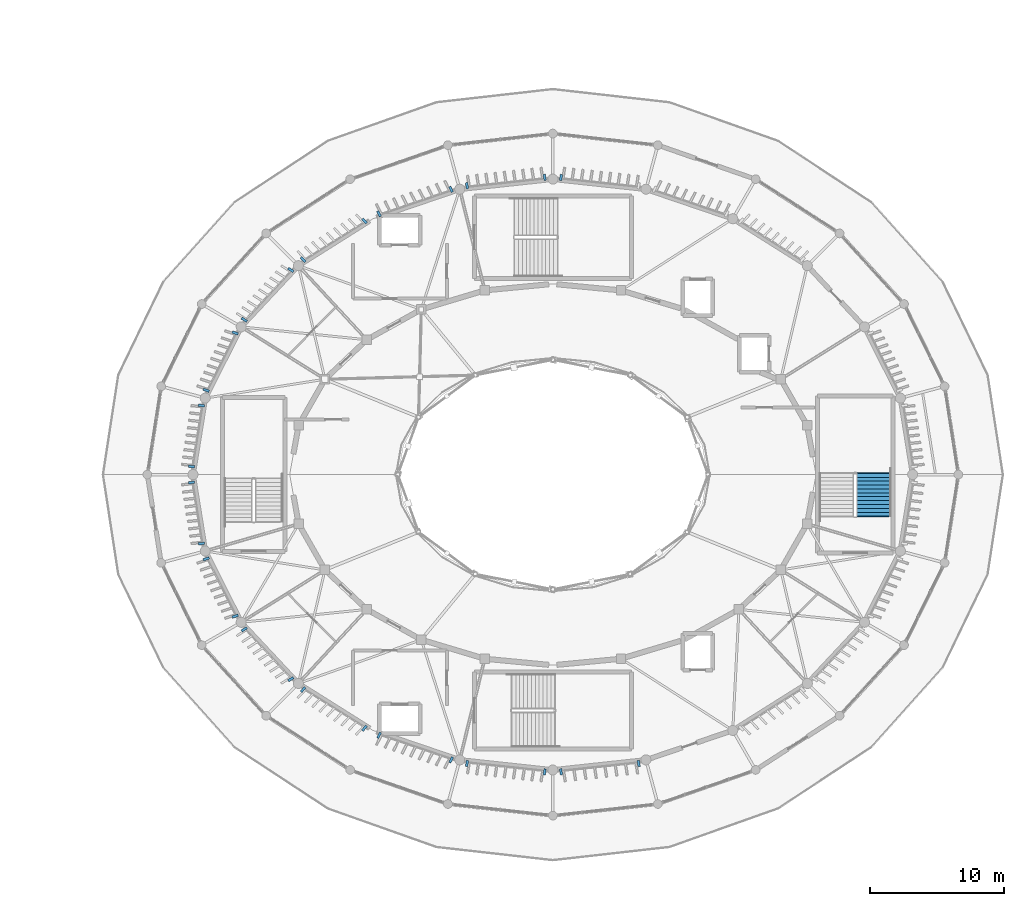
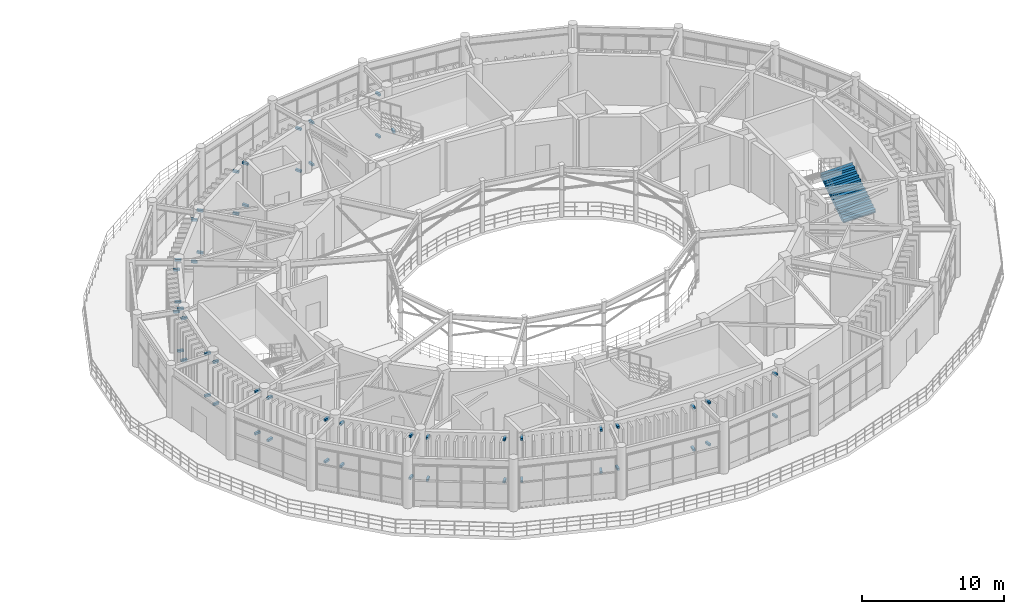
# One storey, part 36 of 45: 53 discrete accessories, 1 stair flight, 1 element without a shape of its own.
"""IFC4 building model written with IfcOpenShell, lengths in metres."""

import ifcopenshell
import ifcopenshell.guid

model = None  # the IFC model being written
_history = None  # IfcOwnerHistory: only IFC2X3 demands one
_inside = {}  # id of a spatial element -> (the spatial element, [elements in it])
_under = {}  # id of a project, library or spatial element -> (it, [spatial elements below it])
_declared = {}  # id of a project -> (the project, [libraries it declares])
_typed = {}  # id of a type object -> (the type object, [elements of that type])
_made_of = {}  # id of a material, layer set ... -> (it, [elements and type objects made of it])


def new_model(schema):
    """Start an empty IFC model of exactly this schema.

    Asked for "IFC4X3", IfcOpenShell would pick the latest addendum, in which some entities
    have other attributes; the version numbers below select the first issue.
    IFC2X3 requires an IfcOwnerHistory on every rooted entity: one is made here for all.
    """
    global model, _history
    if schema == "IFC4X3":
        model = ifcopenshell.file(schema_version=(4, 3, 0, 0))
    else:
        model = ifcopenshell.file(schema=schema)
    _inside.clear()
    _under.clear()
    _declared.clear()
    _typed.clear()
    _made_of.clear()
    _history = None
    if model.schema == "IFC2X3":
        org = make("IfcOrganization", Name="unknown")
        user = make(
            "IfcPersonAndOrganization",
            ThePerson=make("IfcPerson", FamilyName="unknown"),
            TheOrganization=org,
        )
        app = make(
            "IfcApplication",
            ApplicationDeveloper=org,
            Version="unknown",
            ApplicationFullName="unknown",
            ApplicationIdentifier="unknown",
        )
        _history = make(
            "IfcOwnerHistory",
            OwningUser=user,
            OwningApplication=app,
            ChangeAction="ADDED",
            CreationDate=0,
        )
    return model


def make(cls, **values):
    """One entity of the class cls with the attributes given. An attribute that is None is left unset."""
    return model.create_entity(
        cls, **{name: value for name, value in values.items() if value is not None}
    )


def rooted(cls, **values):
    """An entity with a GlobalId (a new one), such as an element, a storey or a relation."""
    return make(cls, GlobalId=ifcopenshell.guid.new(), OwnerHistory=_history, **values)


def si_unit(unit_type, name, prefix=None):
    """IfcSIUnit, for example si_unit("LENGTHUNIT", "METRE", prefix="MILLI")."""
    return make("IfcSIUnit", UnitType=unit_type, Prefix=prefix, Name=name)


def assignment(units):
    """IfcUnitAssignment: the units of a project."""
    return None if units is None else make("IfcUnitAssignment", Units=units)


def point(xyz):
    """IfcCartesianPoint."""
    return None if xyz is None else make("IfcCartesianPoint", Coordinates=xyz)


def direction(xyz):
    """IfcDirection."""
    return None if xyz is None else make("IfcDirection", DirectionRatios=xyz)


def frame(location, z_axis=None, x_axis=None):
    """IfcAxis2Placement3D, a coordinate frame: its origin and axes. An axis left out is left unset."""
    return make(
        "IfcAxis2Placement3D",
        Location=point(location),
        Axis=direction(z_axis),
        RefDirection=direction(x_axis),
    )


def frame_2d(location, x_axis=None):
    """IfcAxis2Placement2D, a coordinate frame in the plane: its origin and x axis."""
    return make(
        "IfcAxis2Placement2D", Location=point(location), RefDirection=direction(x_axis)
    )


def origin():
    """The frame at (0, 0, 0) with its axes left unset."""
    return frame((0.0, 0.0, 0.0))


def origin_2d():
    """The frame at (0, 0) in the plane with its x axis left unset."""
    return frame_2d((0.0, 0.0))


def place(relative_to, where):
    """IfcLocalPlacement: puts the frame where relative to a parent placement (None: the world)."""
    return make(
        "IfcLocalPlacement", PlacementRelTo=relative_to, RelativePlacement=where
    )


def context(
    kind, dimensions, precision=None, world=None, true_north=None, identifier=None
):
    """IfcGeometricRepresentationContext, for example the 3D "Model" context."""
    return make(
        "IfcGeometricRepresentationContext",
        ContextIdentifier=identifier,
        ContextType=kind,
        CoordinateSpaceDimension=dimensions,
        Precision=precision,
        WorldCoordinateSystem=world,
        TrueNorth=true_north,
    )


def subcontext(parent, identifier, kind, view, scale=None):
    """IfcGeometricRepresentationSubContext, for example "Body" below "Model"."""
    return make(
        "IfcGeometricRepresentationSubContext",
        ContextIdentifier=identifier,
        ContextType=kind,
        ParentContext=parent,
        TargetScale=scale,
        TargetView=view,
    )


def project(units=None, contexts=None):
    """IfcProject with its units and contexts."""
    return rooted(
        "IfcProject",
        Name="project",
        RepresentationContexts=contexts,
        UnitsInContext=assignment(units),
    )


def spatial(cls, under=None, at=None, **own):
    """A site, building, storey or space (cls), placed at a placement, below another one or the project."""
    s = rooted(cls, ObjectPlacement=at, **own)
    if under is not None:
        _under.setdefault(under.id(), (under, []))[1].append(s)
    return s


def polyline(points):
    """IfcPolyline through the points."""
    return make("IfcPolyline", Points=[point(p) for p in points])


def profile(cls, at=None, kind="AREA", **sizes):
    """A parametric profile (cls). Its sizes go by their IFC names, for example OverallWidth=200.0."""
    return make(cls, ProfileType=kind, Position=at, **sizes)


def rectangle(**sizes):
    """IfcRectangleProfileDef."""
    return profile("IfcRectangleProfileDef", **sizes)


def outline(outer, holes=None, kind="AREA"):
    """IfcArbitraryClosedProfileDef: a profile drawn as a closed curve; with holes, ...WithVoids."""
    if holes is None:
        return make("IfcArbitraryClosedProfileDef", ProfileType=kind, OuterCurve=outer)
    return make(
        "IfcArbitraryProfileDefWithVoids",
        ProfileType=kind,
        OuterCurve=outer,
        InnerCurves=holes,
    )


def extrude(swept, where, along, depth):
    """IfcExtrudedAreaSolid: the profile swept, set in the frame where, extruded along a direction by depth."""
    return make(
        "IfcExtrudedAreaSolid",
        SweptArea=swept,
        Position=where,
        ExtrudedDirection=direction(along),
        Depth=depth,
    )


def shape(context_of_items, identifier, shape_type, items):
    """IfcShapeRepresentation: the items that make up one representation, for example the "Body"."""
    return make(
        "IfcShapeRepresentation",
        ContextOfItems=context_of_items,
        RepresentationIdentifier=identifier,
        RepresentationType=shape_type,
        Items=items,
    )


def material(Name=None, Category=None):
    """IfcMaterial."""
    return make("IfcMaterial", Name=Name, Category=Category)


def made_of(thing, what):
    """Note that an element or type object is made of a material, layer set ...; save() writes the relation."""
    if what is not None:
        _made_of.setdefault(what.id(), (what, []))[1].append(thing)
    return thing


def type_object(cls, material=None, **own):
    """A type object (cls), such as IfcWallType, which elements share."""
    return made_of(rooted(cls, **own), material)


def element(
    cls,
    number,
    at=None,
    inside=None,
    cuts=None,
    type_object=None,
    material=None,
    context=None,
    identifier="Body",
    shape_type=None,
    held_by="IfcProductDefinitionShape",
    body=None,
    shapes=None,
    **own,
):
    """One element of the class cls, such as IfcWall. Its Tag is "e" and its number.

    at: its placement. inside: the storey or other place that contains it. cuts: it is an
    opening in that element (IfcRelVoidsElement). A single representation is given by context,
    identifier, shape_type and body (its items); several are given by shapes. held_by: the class
    of the entity that holds the representations. save() writes the other relations.
    """
    e = rooted(cls, Tag="e%d" % number, ObjectPlacement=at, **own)
    if body is not None:
        shapes = [shape(context, identifier, shape_type, body)]
    if shapes is not None:
        e.Representation = make(held_by, Representations=shapes)
    if inside is not None:
        _inside.setdefault(inside.id(), (inside, []))[1].append(e)
    if cuts is not None:
        rooted(
            "IfcRelVoidsElement", RelatingBuildingElement=cuts, RelatedOpeningElement=e
        )
    if type_object is not None:
        _typed.setdefault(type_object.id(), (type_object, []))[1].append(e)
    return made_of(e, material)


def aggregate(whole, parts):
    """IfcRelAggregates: a whole, such as a stair, and the parts it consists of."""
    return rooted("IfcRelAggregates", RelatingObject=whole, RelatedObjects=parts)


def save(model, path):
    """Write the relations noted so far, then the file.

    IfcRelAggregates (storeys below a building ...), IfcRelContainedInSpatialStructure (elements
    in a storey), IfcRelDefinesByType, IfcRelAssociatesMaterial and IfcRelDeclares: one each for
    every whole, place, type object, material and project.
    """
    for whole, parts in _under.values():
        aggregate(whole, parts)
    for where, things in _inside.values():
        rooted(
            "IfcRelContainedInSpatialStructure",
            RelatedElements=things,
            RelatingStructure=where,
        )
    for kind, things in _typed.values():
        rooted("IfcRelDefinesByType", RelatedObjects=things, RelatingType=kind)
    for what, things in _made_of.values():
        rooted("IfcRelAssociatesMaterial", RelatedObjects=things, RelatingMaterial=what)
    for by, libraries in _declared.values():
        rooted("IfcRelDeclares", RelatingContext=by, RelatedDefinitions=libraries)
    model.write(path)


model = new_model("IFC4")

# Units and contexts
model_context = context("Model", 3, precision=1e-05, world=origin(), true_north=direction((0.0, 1.0)))
body_context = subcontext(model_context, "Body", "Model", "MODEL_VIEW")
ifc_project = project(units=[si_unit("LENGTHUNIT", "METRE"), si_unit("AREAUNIT", "SQUARE_METRE"), si_unit("VOLUMEUNIT", "CUBIC_METRE"), si_unit("PLANEANGLEUNIT", "RADIAN"), si_unit("MASSUNIT", "GRAM", prefix="KILO")], contexts=[model_context])

# Site, building, storey
site_placement = place(None, origin())
site = spatial("IfcSite", under=ifc_project, at=site_placement, CompositionType="ELEMENT")
building_placement = place(site_placement, origin())
building = spatial("IfcBuilding", under=site, at=building_placement, Name="Cinderbank Siding Concert Hall", CompositionType="ELEMENT")
storey_placement = place(building_placement, frame((0.0, 0.0, 19.199951171875)))
storey = spatial("IfcBuildingStorey", under=building, at=storey_placement, Name="L05", CompositionType="ELEMENT", Elevation=19.199951171875)

# Stair, stair flight
ifc_material_1 = material(Name="Reinforced concrete AS 3600 N50 (50 MPa)", Category="concrete")
stair_type = type_object("IfcStairType", Name="STR-B Dogleg Exit Stair 2600mm", PredefinedType="HALF_TURN_STAIR", material=ifc_material_1)
stair_placement = place(storey_placement, origin())
stair = element("IfcStair", 1, at=stair_placement, inside=storey, type_object=stair_type, Name="L05 Fire-isolated Exit Stair ST-03", PredefinedType="HALF_TURN_STAIR")
stair_flight_type = type_object("IfcStairFlightType", Name="SFL-B Concrete Stair Flight 2600mm", PredefinedType="STRAIGHT", material=ifc_material_1)
stair_flight_placement = place(storey_placement, frame((145.89990234375, 40.89990234375, 0.0), z_axis=(0.0, 0.0, 1.0), x_axis=(0.0, 1.0, 0.0)))
stair_flight = element("IfcStairFlight", 2, at=stair_flight_placement, type_object=stair_flight_type, Name="ST-03 flight 1", NumberOfRisers=12, NumberOfTreads=11, PredefinedType="STRAIGHT", RiserHeight=0.1875, TreadLength=0.29, context=body_context, shape_type="SweptSolid", body=[
    extrude(outline(polyline([(0.0, 0.0), (0.0, 0.1875), (0.2900390625, 0.1875), (0.2900390625, 0.375), (0.580078125, 0.375), (0.580078125, 0.5625), (0.8701171875, 0.5625), (0.8701171875, 0.75), (1.159912109375, 0.75), (1.159912109375, 0.9375), (1.449951171875, 0.9375), (1.449951171875, 1.125), (1.739990234375, 1.125), (1.739990234375, 1.3125), (2.030029296875, 1.3125), (2.030029296875, 1.5), (2.320068359375, 1.5), (2.320068359375, 1.6875), (2.610107421875, 1.6875), (2.610107421875, 1.875), (2.89990234375, 1.875), (2.89990234375, 2.0625), (3.18994140625, 2.0625), (3.244873046875, 2.25), (3.244873046875, 1.884033203125), (3.24462890625, 1.88427734375), (3.24462890625, 1.884521484375), (3.24462890625, 1.884765625), (3.24462890625, 1.885009765625), (3.24462890625, 1.88525390625), (3.24462890625, 1.885498046875), (3.24462890625, 1.8857421875), (3.24462890625, 1.885986328125), (3.24462890625, 1.88623046875), (3.24462890625, 1.886474609375), (3.24462890625, 1.88671875), (3.24462890625, 1.886962890625), (3.244384765625, 1.886962890625), (3.244384765625, 1.88671875), (3.244384765625, 1.886474609375), (3.244384765625, 1.88623046875), (3.244384765625, 1.885986328125), (3.244384765625, 1.8857421875), (3.244384765625, 1.885498046875), (3.244384765625, 1.88525390625), (3.244384765625, 1.885009765625), (3.244384765625, 1.884765625), (3.244384765625, 1.884521484375), (3.244384765625, 1.88427734375), (3.244384765625, 1.884033203125), (3.244140625, 1.88427734375), (3.244140625, 1.884521484375), (3.244140625, 1.884765625), (3.244140625, 1.885009765625), (3.244140625, 1.88525390625), (3.244140625, 1.885498046875), (3.244140625, 1.8857421875), (3.244140625, 1.885986328125), (3.244140625, 1.88623046875), (3.244140625, 1.886474609375), (3.244140625, 1.88671875), (3.244140625, 1.886962890625), (3.243896484375, 1.886962890625), (3.243896484375, 1.88671875), (3.243896484375, 1.886474609375), (3.243896484375, 1.88623046875), (3.243896484375, 1.885986328125), (3.243896484375, 1.8857421875), (3.243896484375, 1.885498046875), (3.243896484375, 1.88525390625), (3.243896484375, 1.885009765625), (3.243896484375, 1.884765625), (3.243896484375, 1.884521484375), (3.243896484375, 1.88427734375), (3.243896484375, 1.884033203125), (3.24365234375, 1.88427734375), (3.24365234375, 1.884521484375), (3.24365234375, 1.884765625), (3.24365234375, 1.885009765625), (3.24365234375, 1.88525390625), (3.24365234375, 1.885498046875), (3.24365234375, 1.8857421875), (3.24365234375, 1.885986328125), (3.24365234375, 1.88623046875), (3.24365234375, 1.886474609375), (3.24365234375, 1.88671875), (3.24365234375, 1.886962890625), (3.243408203125, 1.886962890625), (3.243408203125, 1.88671875), (3.243408203125, 1.886474609375), (3.243408203125, 1.88623046875), (3.243408203125, 1.885986328125), (3.243408203125, 1.8857421875), (3.243408203125, 1.885498046875), (3.243408203125, 1.88525390625), (3.243408203125, 1.885009765625), (3.243408203125, 1.884765625), (3.243408203125, 1.884521484375), (3.243408203125, 1.88427734375), (3.243408203125, 1.884033203125), (3.2431640625, 1.88427734375), (3.2431640625, 1.884521484375), (3.2431640625, 1.884765625), (3.2431640625, 1.885009765625), (3.2431640625, 1.88525390625), (3.2431640625, 1.885498046875), (3.2431640625, 1.8857421875), (3.2431640625, 1.885986328125), (3.2431640625, 1.88623046875), (3.2431640625, 1.886474609375), (3.2431640625, 1.88671875), (3.2431640625, 1.886962890625), (3.242919921875, 1.886962890625), (3.242919921875, 1.88671875), (3.242919921875, 1.886474609375), (3.242919921875, 1.88623046875), (3.242919921875, 1.885986328125), (3.242919921875, 1.8857421875), (3.242919921875, 1.885498046875), (3.242919921875, 1.88525390625), (3.242919921875, 1.885009765625), (3.242919921875, 1.884765625), (3.242919921875, 1.884521484375), (3.242919921875, 1.88427734375), (3.242919921875, 1.884033203125), (3.24267578125, 1.88427734375), (3.24267578125, 1.884521484375), (3.24267578125, 1.884765625), (3.24267578125, 1.885009765625), (3.24267578125, 1.88525390625), (3.24267578125, 1.885498046875), (3.24267578125, 1.8857421875), (3.24267578125, 1.885986328125), (3.24267578125, 1.88623046875), (3.24267578125, 1.886474609375), (3.24267578125, 1.88671875), (3.24267578125, 1.886962890625), (3.242431640625, 1.886962890625), (3.242431640625, 1.88671875), (3.242431640625, 1.886474609375), (3.242431640625, 1.88623046875), (3.242431640625, 1.885986328125), (3.242431640625, 1.8857421875), (3.242431640625, 1.885498046875), (3.242431640625, 1.88525390625), (3.242431640625, 1.885009765625), (3.242431640625, 1.884765625), (3.242431640625, 1.884521484375), (3.242431640625, 1.88427734375), (3.242431640625, 1.884033203125), (3.2421875, 1.88427734375), (3.2421875, 1.884521484375), (3.2421875, 1.884765625), (3.2421875, 1.885009765625), (3.2421875, 1.88525390625), (3.2421875, 1.885498046875), (3.2421875, 1.8857421875), (3.2421875, 1.885986328125), (3.2421875, 1.88623046875), (3.2421875, 1.886474609375), (3.2421875, 1.88671875), (3.2421875, 1.886962890625), (3.241943359375, 1.886962890625), (3.241943359375, 1.88671875), (3.241943359375, 1.886474609375), (3.241943359375, 1.88623046875), (3.241943359375, 1.885986328125), (3.241943359375, 1.8857421875), (3.241943359375, 1.885498046875), (3.241943359375, 1.88525390625), (3.241943359375, 1.885009765625), (3.241943359375, 1.884765625), (3.241943359375, 1.884521484375), (3.241943359375, 1.88427734375), (3.241943359375, 1.884033203125), (3.24169921875, 1.88427734375), (3.24169921875, 1.884521484375), (3.24169921875, 1.884765625), (3.24169921875, 1.885009765625), (3.24169921875, 1.88525390625), (3.24169921875, 1.885498046875), (3.24169921875, 1.8857421875), (3.24169921875, 1.885986328125), (3.24169921875, 1.88623046875), (3.24169921875, 1.886474609375), (3.24169921875, 1.88671875), (3.24169921875, 1.886962890625), (3.241455078125, 1.886962890625), (3.241455078125, 1.88671875), (3.241455078125, 1.886474609375), (3.241455078125, 1.88623046875), (3.241455078125, 1.885986328125), (3.241455078125, 1.8857421875), (3.241455078125, 1.885498046875), (3.241455078125, 1.88525390625), (3.241455078125, 1.885009765625), (3.241455078125, 1.884765625), (3.241455078125, 1.884521484375), (3.241455078125, 1.88427734375), (3.241455078125, 1.884033203125), (3.2412109375, 1.88427734375), (3.2412109375, 1.884521484375), (3.2412109375, 1.884765625), (3.2412109375, 1.885009765625), (3.2412109375, 1.88525390625), (3.2412109375, 1.885498046875), (3.2412109375, 1.8857421875), (3.2412109375, 1.885986328125), (3.2412109375, 1.88623046875), (3.2412109375, 1.886474609375), (3.2412109375, 1.88671875), (3.2412109375, 1.886962890625), (3.240966796875, 1.886962890625), (3.240966796875, 1.88671875), (3.240966796875, 1.886474609375), (3.240966796875, 1.88623046875), (3.240966796875, 1.885986328125), (3.240966796875, 1.8857421875), (3.240966796875, 1.885498046875), (3.240966796875, 1.88525390625), (3.240966796875, 1.885009765625), (3.240966796875, 1.884765625), (3.240966796875, 1.884521484375), (3.240966796875, 1.88427734375), (3.240966796875, 1.884033203125), (3.24072265625, 1.88427734375), (3.24072265625, 1.884521484375), (3.24072265625, 1.884765625), (3.24072265625, 1.885009765625), (3.24072265625, 1.88525390625), (3.24072265625, 1.885498046875), (3.24072265625, 1.8857421875), (3.24072265625, 1.885986328125), (3.24072265625, 1.88623046875), (3.24072265625, 1.886474609375), (3.24072265625, 1.88671875), (3.24072265625, 1.886962890625), (3.240478515625, 1.886962890625), (3.240478515625, 1.88671875), (3.240478515625, 1.886474609375), (3.240478515625, 1.88623046875), (3.240478515625, 1.885986328125), (3.240478515625, 1.8857421875), (3.240478515625, 1.885498046875), (3.240478515625, 1.88525390625), (3.240478515625, 1.885009765625), (3.240478515625, 1.884765625), (3.240478515625, 1.884521484375), (3.240478515625, 1.88427734375), (3.240478515625, 1.884033203125), (3.240234375, 1.88427734375), (3.240234375, 1.884521484375), (3.240234375, 1.884765625), (3.240234375, 1.885009765625), (3.240234375, 1.88525390625), (3.240234375, 1.885498046875), (3.240234375, 1.8857421875), (3.240234375, 1.885986328125), (3.240234375, 1.88623046875), (3.240234375, 1.886474609375), (3.240234375, 1.88671875), (3.240234375, 1.886962890625), (3.239990234375, 1.886962890625), (3.239990234375, 1.88671875), (3.239990234375, 1.886474609375), (3.239990234375, 1.88623046875), (3.239990234375, 1.885986328125), (3.239990234375, 1.8857421875), (3.239990234375, 1.885498046875), (3.239990234375, 1.88525390625), (3.239990234375, 1.885009765625), (3.239990234375, 1.884765625), (3.239990234375, 1.884521484375), (3.239990234375, 1.88427734375), (3.239990234375, 1.884033203125), (3.23974609375, 1.88427734375), (3.23974609375, 1.884521484375), (3.23974609375, 1.884765625), (3.23974609375, 1.885009765625), (3.23974609375, 1.88525390625), (3.23974609375, 1.885498046875), (3.23974609375, 1.8857421875), (3.23974609375, 1.885986328125), (3.23974609375, 1.88623046875), (3.23974609375, 1.886474609375), (3.23974609375, 1.88671875), (3.23974609375, 1.886962890625), (3.239501953125, 1.886962890625), (3.239501953125, 1.88671875), (3.239501953125, 1.886474609375), (3.239501953125, 1.88623046875), (3.239501953125, 1.885986328125), (3.239501953125, 1.8857421875), (3.239501953125, 1.885498046875), (3.239501953125, 1.88525390625), (3.239501953125, 1.885009765625), (3.239501953125, 1.884765625), (3.239501953125, 1.884521484375), (3.239501953125, 1.88427734375), (3.239501953125, 1.884033203125), (3.2392578125, 1.88427734375), (3.2392578125, 1.884521484375), (3.2392578125, 1.884765625), (3.2392578125, 1.885009765625), (3.2392578125, 1.88525390625), (3.2392578125, 1.885498046875), (3.2392578125, 1.8857421875), (3.2392578125, 1.885986328125), (3.2392578125, 1.88623046875), (3.2392578125, 1.886474609375), (3.2392578125, 1.88671875), (3.2392578125, 1.886962890625), (3.239013671875, 1.886962890625), (3.239013671875, 1.88671875), (3.239013671875, 1.886474609375), (3.239013671875, 1.88623046875), (3.239013671875, 1.885986328125), (3.239013671875, 1.8857421875), (3.239013671875, 1.885498046875), (3.239013671875, 1.88525390625), (3.239013671875, 1.885009765625), (3.239013671875, 1.884765625), (3.239013671875, 1.884521484375), (3.239013671875, 1.88427734375), (3.239013671875, 1.884033203125), (3.23876953125, 1.88427734375), (3.23876953125, 1.884521484375), (3.23876953125, 1.884765625), (3.23876953125, 1.885009765625), (3.23876953125, 1.88525390625), (3.23876953125, 1.885498046875), (3.23876953125, 1.8857421875), (3.23876953125, 1.885986328125), (3.23876953125, 1.88623046875), (3.23876953125, 1.886474609375), (3.23876953125, 1.88671875), (3.23876953125, 1.886962890625), (3.238525390625, 1.886962890625), (3.238525390625, 1.88671875), (3.238525390625, 1.886474609375), (3.238525390625, 1.88623046875), (3.238525390625, 1.885986328125), (3.238525390625, 1.8857421875), (3.238525390625, 1.885498046875), (3.238525390625, 1.88525390625), (3.238525390625, 1.885009765625), (3.238525390625, 1.884765625), (3.238525390625, 1.884521484375), (3.238525390625, 1.88427734375), (3.238525390625, 1.884033203125), (0.276123046875, -0.06396484375), (-0.048583984375, -0.063720703125), (-0.048583984375, -0.0634765625), (-0.048583984375, -0.063232421875), (-0.048583984375, -0.06298828125), (-0.048583984375, -0.062744140625), (-0.048583984375, -0.0625), (-0.048583984375, -0.062255859375), (-0.048583984375, -0.06201171875), (-0.048583984375, -0.061767578125), (-0.048583984375, -0.0615234375), (-0.048583984375, -0.061279296875), (-0.048583984375, -0.06103515625), (-0.048828125, -0.06103515625), (-0.048828125, -0.061279296875), (-0.048828125, -0.0615234375), (-0.048828125, -0.061767578125), (-0.048828125, -0.06201171875), (-0.048828125, -0.062255859375), (-0.048828125, -0.0625), (-0.048828125, -0.062744140625), (-0.048828125, -0.06298828125), (-0.048828125, -0.063232421875), (-0.048828125, -0.0634765625), (-0.048828125, -0.063720703125), (-0.048828125, -0.06396484375), (-0.049072265625, -0.063720703125), (-0.049072265625, -0.0634765625), (-0.049072265625, -0.063232421875), (-0.049072265625, -0.06298828125), (-0.049072265625, -0.062744140625), (-0.049072265625, -0.0625), (-0.049072265625, -0.062255859375), (-0.049072265625, -0.06201171875), (-0.049072265625, -0.061767578125), (-0.049072265625, -0.0615234375), (-0.049072265625, -0.061279296875), (-0.049072265625, -0.06103515625), (-0.04931640625, -0.06103515625), (-0.04931640625, -0.061279296875), (-0.04931640625, -0.0615234375), (-0.04931640625, -0.061767578125), (-0.04931640625, -0.06201171875), (-0.04931640625, -0.062255859375), (-0.04931640625, -0.0625), (-0.04931640625, -0.062744140625), (-0.04931640625, -0.06298828125), (-0.04931640625, -0.063232421875), (-0.04931640625, -0.0634765625), (-0.04931640625, -0.063720703125), (-0.04931640625, -0.06396484375), (-0.049560546875, -0.063720703125), (-0.049560546875, -0.0634765625), (-0.049560546875, -0.063232421875), (-0.049560546875, -0.06298828125), (-0.049560546875, -0.062744140625), (-0.049560546875, -0.0625), (-0.049560546875, -0.062255859375), (-0.049560546875, -0.06201171875), (-0.049560546875, -0.061767578125), (-0.049560546875, -0.0615234375), (-0.049560546875, -0.061279296875), (-0.049560546875, -0.06103515625), (-0.0498046875, -0.06103515625), (-0.0498046875, -0.061279296875), (-0.0498046875, -0.0615234375), (-0.0498046875, -0.061767578125), (-0.0498046875, -0.06201171875), (-0.0498046875, -0.062255859375), (-0.0498046875, -0.0625), (-0.0498046875, -0.062744140625), (-0.0498046875, -0.06298828125), (-0.0498046875, -0.063232421875), (-0.0498046875, -0.0634765625), (-0.0498046875, -0.063720703125), (-0.0498046875, -0.06396484375), (-0.050048828125, -0.063720703125), (-0.050048828125, -0.0634765625), (-0.050048828125, -0.063232421875), (-0.050048828125, -0.06298828125), (-0.050048828125, -0.062744140625), (-0.050048828125, -0.0625), (-0.050048828125, -0.062255859375), (-0.050048828125, -0.06201171875), (-0.050048828125, -0.061767578125), (-0.050048828125, -0.0615234375), (-0.050048828125, -0.061279296875), (-0.050048828125, -0.06103515625), (-0.05029296875, -0.06103515625), (-0.05029296875, -0.061279296875), (-0.05029296875, -0.0615234375), (-0.05029296875, -0.061767578125), (-0.05029296875, -0.06201171875), (-0.05029296875, -0.062255859375), (-0.05029296875, -0.0625), (-0.05029296875, -0.062744140625), (-0.05029296875, -0.06298828125), (-0.05029296875, -0.063232421875), (-0.05029296875, -0.0634765625), (-0.05029296875, -0.063720703125), (-0.05029296875, -0.06396484375), (-0.050537109375, -0.063720703125), (-0.050537109375, -0.0634765625), (-0.050537109375, -0.063232421875), (-0.050537109375, -0.06298828125), (-0.050537109375, -0.062744140625), (-0.050537109375, -0.0625), (-0.050537109375, -0.062255859375), (-0.050537109375, -0.06201171875), (-0.050537109375, -0.061767578125), (-0.050537109375, -0.0615234375), (-0.050537109375, -0.061279296875), (-0.050537109375, -0.06103515625), (-0.05078125, -0.06103515625), (-0.05078125, -0.061279296875), (-0.05078125, -0.0615234375), (-0.05078125, -0.061767578125), (-0.05078125, -0.06201171875), (-0.05078125, -0.062255859375), (-0.05078125, -0.0625), (-0.05078125, -0.062744140625), (-0.05078125, -0.06298828125), (-0.05078125, -0.063232421875), (-0.05078125, -0.0634765625), (-0.05078125, -0.063720703125), (-0.05078125, -0.06396484375), (-0.051025390625, -0.063720703125), (-0.051025390625, -0.0634765625), (-0.051025390625, -0.063232421875), (-0.051025390625, -0.06298828125), (-0.051025390625, -0.062744140625), (-0.051025390625, -0.0625), (-0.051025390625, -0.062255859375), (-0.051025390625, -0.06201171875), (-0.051025390625, -0.061767578125), (-0.051025390625, -0.0615234375), (-0.051025390625, -0.061279296875), (-0.051025390625, -0.06103515625), (-0.05126953125, -0.06103515625), (-0.05126953125, -0.061279296875), (-0.05126953125, -0.0615234375), (-0.05126953125, -0.061767578125), (-0.05126953125, -0.06201171875), (-0.05126953125, -0.062255859375), (-0.05126953125, -0.0625), (-0.05126953125, -0.062744140625), (-0.05126953125, -0.06298828125), (-0.05126953125, -0.063232421875), (-0.05126953125, -0.0634765625), (-0.05126953125, -0.063720703125), (-0.05126953125, -0.06396484375), (-0.051513671875, -0.063720703125), (-0.051513671875, -0.0634765625), (-0.051513671875, -0.063232421875), (-0.051513671875, -0.06298828125), (-0.051513671875, -0.062744140625), (-0.051513671875, -0.0625), (-0.051513671875, -0.062255859375), (-0.051513671875, -0.06201171875), (-0.051513671875, -0.061767578125), (-0.051513671875, -0.0615234375), (-0.051513671875, -0.061279296875), (-0.051513671875, -0.06103515625), (-0.0517578125, -0.06103515625), (-0.0517578125, -0.061279296875), (-0.0517578125, -0.0615234375), (-0.0517578125, -0.061767578125), (-0.0517578125, -0.06201171875), (-0.0517578125, -0.062255859375), (-0.0517578125, -0.0625), (-0.0517578125, -0.062744140625), (-0.0517578125, -0.06298828125), (-0.0517578125, -0.063232421875), (-0.0517578125, -0.0634765625), (-0.0517578125, -0.063720703125), (-0.0517578125, -0.06396484375), (-0.052001953125, -0.063720703125), (-0.052001953125, -0.0634765625), (-0.052001953125, -0.063232421875), (-0.052001953125, -0.06298828125), (-0.052001953125, -0.062744140625), (-0.052001953125, -0.0625), (-0.052001953125, -0.062255859375), (-0.052001953125, -0.06201171875), (-0.052001953125, -0.061767578125), (-0.052001953125, -0.0615234375), (-0.052001953125, -0.061279296875), (-0.052001953125, -0.06103515625), (-0.05224609375, -0.06103515625), (-0.05224609375, -0.061279296875), (-0.05224609375, -0.0615234375), (-0.05224609375, -0.061767578125), (-0.05224609375, -0.06201171875), (-0.05224609375, -0.062255859375), (-0.05224609375, -0.0625), (-0.05224609375, -0.062744140625), (-0.05224609375, -0.06298828125), (-0.05224609375, -0.063232421875), (-0.05224609375, -0.0634765625), (-0.05224609375, -0.063720703125), (-0.05224609375, -0.06396484375), (-0.052490234375, -0.063720703125), (-0.052490234375, -0.0634765625), (-0.052490234375, -0.063232421875), (-0.052490234375, -0.06298828125), (-0.052490234375, -0.062744140625), (-0.052490234375, -0.0625), (-0.052490234375, -0.062255859375), (-0.052490234375, -0.06201171875), (-0.052490234375, -0.061767578125), (-0.052490234375, -0.0615234375), (-0.052490234375, -0.061279296875), (-0.052490234375, -0.06103515625), (-0.052734375, -0.06103515625), (-0.052734375, -0.061279296875), (-0.052734375, -0.0615234375), (-0.052734375, -0.061767578125), (-0.052734375, -0.06201171875), (-0.052734375, -0.062255859375), (-0.052734375, -0.0625), (-0.052734375, -0.062744140625), (-0.052734375, -0.06298828125), (-0.052734375, -0.063232421875), (-0.052734375, -0.0634765625), (-0.052734375, -0.063720703125), (-0.052734375, -0.06396484375), (-0.052978515625, -0.063720703125), (-0.052978515625, -0.0634765625), (-0.052978515625, -0.063232421875), (-0.052978515625, -0.06298828125), (-0.052978515625, -0.062744140625), (-0.052978515625, -0.0625), (-0.052978515625, -0.062255859375), (-0.052978515625, -0.06201171875), (-0.052978515625, -0.061767578125), (-0.052978515625, -0.0615234375), (-0.052978515625, -0.061279296875), (-0.052978515625, -0.06103515625), (-0.05322265625, -0.06103515625), (-0.05322265625, -0.061279296875), (-0.05322265625, -0.0615234375), (-0.05322265625, -0.061767578125), (-0.05322265625, -0.06201171875), (-0.05322265625, -0.062255859375), (-0.05322265625, -0.0625), (-0.05322265625, -0.062744140625), (-0.05322265625, -0.06298828125), (-0.05322265625, -0.063232421875), (-0.05322265625, -0.0634765625), (-0.05322265625, -0.063720703125), (-0.05322265625, -0.06396484375), (-0.053466796875, -0.063720703125), (-0.053466796875, -0.0634765625), (-0.053466796875, -0.063232421875), (-0.053466796875, -0.06298828125), (-0.053466796875, -0.062744140625), (-0.053466796875, -0.0625), (-0.053466796875, -0.062255859375), (-0.053466796875, -0.06201171875), (-0.053466796875, -0.061767578125), (-0.053466796875, -0.0615234375), (-0.053466796875, -0.061279296875), (-0.053466796875, -0.06103515625), (-0.0537109375, -0.06103515625), (-0.0537109375, -0.061279296875), (-0.0537109375, -0.0615234375), (-0.0537109375, -0.061767578125), (-0.0537109375, -0.06201171875), (-0.0537109375, -0.062255859375), (-0.0537109375, -0.0625), (-0.0537109375, -0.062744140625), (-0.0537109375, -0.06298828125), (-0.0537109375, -0.063232421875), (-0.0537109375, -0.0634765625), (-0.0537109375, -0.063720703125), (-0.0537109375, -0.06396484375), (-0.053955078125, -0.063720703125), (-0.053955078125, -0.0634765625), (-0.053955078125, -0.063232421875), (-0.053955078125, -0.06298828125), (-0.053955078125, -0.062744140625), (-0.053955078125, -0.0625), (-0.053955078125, -0.062255859375), (-0.053955078125, -0.06201171875), (-0.053955078125, -0.061767578125), (-0.053955078125, -0.0615234375), (-0.053955078125, -0.061279296875), (-0.053955078125, -0.06103515625), (-0.05419921875, -0.06103515625), (-0.05419921875, -0.061279296875), (-0.05419921875, -0.0615234375), (-0.05419921875, -0.061767578125), (-0.05419921875, -0.06201171875), (-0.05419921875, -0.062255859375), (-0.05419921875, -0.0625), (-0.05419921875, -0.062744140625), (-0.05419921875, -0.06298828125), (-0.05419921875, -0.063232421875), (-0.05419921875, -0.0634765625), (-0.05419921875, -0.063720703125), (-0.05419921875, -0.06396484375), (-0.054443359375, -0.063720703125), (-0.054443359375, -0.0634765625), (-0.054443359375, -0.063232421875), (-0.054443359375, -0.06298828125), (-0.054443359375, -0.062744140625), (-0.054443359375, -0.0625), (-0.054443359375, -0.062255859375), (-0.054443359375, -0.06201171875), (-0.054443359375, -0.061767578125), (-0.054443359375, -0.0615234375), (-0.054443359375, -0.061279296875), (-0.054443359375, -0.06103515625), (-0.0546875, -0.06103515625), (-0.0546875, -0.061279296875), (-0.0546875, -0.0615234375), (-0.0546875, -0.061767578125), (-0.0546875, -0.06201171875), (-0.0546875, -0.062255859375), (-0.0546875, -0.0625), (-0.0546875, -0.062744140625), (-0.0546875, -0.06298828125), (-0.0546875, -0.063232421875), (-0.0546875, -0.0634765625), (-0.0546875, -0.063720703125), (-0.0546875, -0.06396484375), (-0.054931640625, -0.06396484375), (-0.054931640625, 0.0), (0.0, 0.0)])), frame((0.0, 1.300048828125, 0.0), z_axis=(0.0, -1.0, 0.0), x_axis=(1.0, 0.0, 0.0)), (0.0, 0.0, 1.0), 2.60009765625),
])
aggregate(stair, [stair_flight])

# Discrete accessories
ifc_material_2 = material(Name="Structural steel AS/NZS 3679.1 Grade 350 (340 MPa)", Category="steel")
discrete_accessory_type = type_object("IfcDiscreteAccessoryType", Name="BK-01 Outrigger Steel Bracket 180x920", PredefinedType="BRACKET", material=ifc_material_2)
for number, where, z_axis, x_axis, name in (
    (3, (122.6083984375, 66.13525390625, 0.1298828125), (0.0, 0.0, 1.0), (0.158354123126, 0.987382383724, 0.0), "L05 Louvre Outrigger Bracket 06-BOT-B"),
    (4, (121.3916015625, 66.13525390625, 0.1298828125), (0.0, 0.0, 1.0), (-0.158354123126, 0.987382383724, 0.0), "L05 Louvre Outrigger Bracket 07-BOT-A"),
    (5, (115.608642578125, 65.51025390625, 0.1298828125), (0.0, 0.0, 1.0), (-0.158354123126, 0.987382383724, 0.0), "L05 Louvre Outrigger Bracket 07-BOT-B"),
    (6, (121.3916015625, 66.13525390625, 3.72998046875), (0.0, 0.0, 1.0), (-0.158354123126, 0.987382383724, 0.0), "L05 Louvre Outrigger Bracket 07-TOP-A"),
    (7, (115.608642578125, 65.51025390625, 3.72998046875), (0.0, 0.0, 1.0), (-0.158354123126, 0.987382383724, 0.0), "L05 Louvre Outrigger Bracket 07-TOP-B"),
    (8, (114.42431640625, 65.2421875, 0.1298828125), (0.0, 0.0, 1.0), (-0.450487284518, 0.89278284397, 0.0), "L05 Louvre Outrigger Bracket 08-BOT-A"),
    (9, (109.05908203125, 63.41796875, 0.1298828125), (0.0, 0.0, 1.0), (-0.450487284518, 0.89278284397, 0.0), "L05 Louvre Outrigger Bracket 08-BOT-B"),
    (10, (114.42431640625, 65.2421875, 3.72998046875), (0.0, 0.0, 1.0), (-0.450487284518, 0.89278284397, 0.0), "L05 Louvre Outrigger Bracket 08-TOP-A"),
    (11, (109.05908203125, 63.41796875, 3.72998046875), (0.0, 0.0, 1.0), (-0.450487284518, 0.89278284397, 0.0), "L05 Louvre Outrigger Bracket 08-TOP-B"),
    (12, (107.97265625, 62.8896484375, 0.1298828125), (0.0, 0.0, 1.0), (-0.682869257989, 0.730540605643, 0.0), "L05 Louvre Outrigger Bracket 09-BOT-A"),
    (13, (103.40380859375, 60.011474609375, 0.1298828125), (0.0, 0.0, 1.0), (-0.682869257989, 0.730540605643, 0.0), "L05 Louvre Outrigger Bracket 09-BOT-B"),
    (14, (107.97265625, 62.8896484375, 3.72998046875), (0.0, 0.0, 1.0), (-0.682869257989, 0.730540605643, 0.0), "L05 Louvre Outrigger Bracket 09-TOP-A"),
    (15, (103.40380859375, 60.011474609375, 3.72998046875), (0.0, 0.0, 1.0), (-0.682869257989, 0.730540605643, 0.0), "L05 Louvre Outrigger Bracket 09-TOP-B"),
    (16, (102.484130859375, 59.2392578125, 0.1298828125), (0.0, 0.0, 1.0), (-0.846132246596, 0.532973002384, 0.0), "L05 Louvre Outrigger Bracket 10-BOT-A"),
    (17, (99.017333984375, 55.5302734375, 0.1298828125), (0.0, 0.0, 1.0), (-0.846132246596, 0.532973002384, 0.0), "L05 Louvre Outrigger Bracket 10-BOT-B"),
    (18, (102.484130859375, 59.2392578125, 3.72998046875), (0.0, 0.0, 1.0), (-0.846132246596, 0.532973002384, 0.0), "L05 Louvre Outrigger Bracket 10-TOP-A"),
    (19, (99.017333984375, 55.5302734375, 3.72998046875), (0.0, 0.0, 1.0), (-0.846132246596, 0.532973002384, 0.0), "L05 Louvre Outrigger Bracket 10-TOP-B"),
    (20, (98.33984375, 54.546630859375, 0.1298828125), (0.0, 0.0, 1.0), (-0.946765351164, 0.321924478466, 0.0), "L05 Louvre Outrigger Bracket 11-BOT-A"),
    (21, (96.18505859375, 50.276123046875, 0.1298828125), (0.0, 0.0, 1.0), (-0.946765351164, 0.321924478466, 0.0), "L05 Louvre Outrigger Bracket 11-BOT-B"),
    (22, (98.33984375, 54.546630859375, 3.72998046875), (0.0, 0.0, 1.0), (-0.946765351164, 0.321924478466, 0.0), "L05 Louvre Outrigger Bracket 11-TOP-A"),
    (23, (96.18505859375, 50.276123046875, 3.72998046875), (0.0, 0.0, 1.0), (-0.946765351164, 0.321924478466, 0.0), "L05 Louvre Outrigger Bracket 11-TOP-B"),
    (24, (95.822509765625, 49.142822265625, 0.1298828125), (0.0, 0.0, 1.0), (-0.994210818271, 0.107446958234, 0.0), "L05 Louvre Outrigger Bracket 12-BOT-A"),
    (25, (95.093017578125, 44.59423828125, 0.1298828125), (0.0, 0.0, 1.0), (-0.994210818271, 0.107446958234, 0.0), "L05 Louvre Outrigger Bracket 12-BOT-B"),
    (26, (95.822509765625, 49.142822265625, 3.72998046875), (0.0, 0.0, 1.0), (-0.994210818271, 0.107446958234, 0.0), "L05 Louvre Outrigger Bracket 12-TOP-A"),
    (27, (95.093017578125, 44.59423828125, 3.72998046875), (0.0, 0.0, 1.0), (-0.994210818271, 0.107446958234, 0.0), "L05 Louvre Outrigger Bracket 12-TOP-B"),
    (28, (95.093017578125, 43.40576171875, 0.1298828125), (0.0, 0.0, 1.0), (-0.994210818271, -0.107446958234, 0.0), "L05 Louvre Outrigger Bracket 13-BOT-A"),
    (29, (95.822509765625, 38.857177734375, 0.1298828125), (0.0, 0.0, 1.0), (-0.994210818271, -0.107446958234, 0.0), "L05 Louvre Outrigger Bracket 13-BOT-B"),
    (30, (95.093017578125, 43.40576171875, 3.72998046875), (0.0, 0.0, 1.0), (-0.994210818271, -0.107446958234, 0.0), "L05 Louvre Outrigger Bracket 13-TOP-A"),
    (31, (95.822509765625, 38.857177734375, 3.72998046875), (0.0, 0.0, 1.0), (-0.994210818271, -0.107446958234, 0.0), "L05 Louvre Outrigger Bracket 13-TOP-B"),
    (32, (96.18505859375, 37.723876953125, 0.1298828125), (0.0, 0.0, 1.0), (-0.946765351164, -0.321924478466, 0.0), "L05 Louvre Outrigger Bracket 14-BOT-A"),
    (33, (98.33984375, 33.453369140625, 0.1298828125), (0.0, 0.0, 1.0), (-0.946765351164, -0.321924478466, 0.0), "L05 Louvre Outrigger Bracket 14-BOT-B"),
    (34, (96.18505859375, 37.723876953125, 3.72998046875), (0.0, 0.0, 1.0), (-0.946765351164, -0.321924478466, 0.0), "L05 Louvre Outrigger Bracket 14-TOP-A"),
    (35, (98.33984375, 33.453369140625, 3.72998046875), (0.0, 0.0, 1.0), (-0.946765351164, -0.321924478466, 0.0), "L05 Louvre Outrigger Bracket 14-TOP-B"),
    (36, (99.017333984375, 32.4697265625, 0.1298828125), (0.0, 0.0, 1.0), (-0.846132246596, -0.532973002384, 0.0), "L05 Louvre Outrigger Bracket 15-BOT-A"),
    (37, (102.484130859375, 28.7607421875, 0.1298828125), (0.0, 0.0, 1.0), (-0.846132246596, -0.532973002384, 0.0), "L05 Louvre Outrigger Bracket 15-BOT-B"),
    (38, (99.017333984375, 32.4697265625, 3.72998046875), (0.0, 0.0, 1.0), (-0.846132246596, -0.532973002384, 0.0), "L05 Louvre Outrigger Bracket 15-TOP-A"),
    (39, (102.484130859375, 28.7607421875, 3.72998046875), (0.0, 0.0, 1.0), (-0.846132246596, -0.532973002384, 0.0), "L05 Louvre Outrigger Bracket 15-TOP-B"),
    (40, (103.40380859375, 27.988525390625, 0.1298828125), (0.0, 0.0, 1.0), (-0.682869257989, -0.730540605643, 0.0), "L05 Louvre Outrigger Bracket 16-BOT-A"),
    (41, (107.97265625, 25.1103515625, 0.1298828125), (0.0, 0.0, 1.0), (-0.682869257989, -0.730540605643, 0.0), "L05 Louvre Outrigger Bracket 16-BOT-B"),
    (42, (103.40380859375, 27.988525390625, 3.72998046875), (0.0, 0.0, 1.0), (-0.682869257989, -0.730540605643, 0.0), "L05 Louvre Outrigger Bracket 16-TOP-A"),
    (43, (107.97265625, 25.1103515625, 3.72998046875), (0.0, 0.0, 1.0), (-0.682869257989, -0.730540605643, 0.0), "L05 Louvre Outrigger Bracket 16-TOP-B"),
    (44, (109.05908203125, 24.58203125, 0.1298828125), (0.0, 0.0, 1.0), (-0.450487284518, -0.89278284397, 0.0), "L05 Louvre Outrigger Bracket 17-BOT-A"),
    (45, (114.42431640625, 22.7578125, 0.1298828125), (0.0, 0.0, 1.0), (-0.450487284518, -0.89278284397, 0.0), "L05 Louvre Outrigger Bracket 17-BOT-B"),
    (46, (109.05908203125, 24.58203125, 3.72998046875), (0.0, 0.0, 1.0), (-0.450487284518, -0.89278284397, 0.0), "L05 Louvre Outrigger Bracket 17-TOP-A"),
    (47, (114.42431640625, 22.7578125, 3.72998046875), (0.0, 0.0, 1.0), (-0.450487284518, -0.89278284397, 0.0), "L05 Louvre Outrigger Bracket 17-TOP-B"),
    (48, (115.608642578125, 22.48974609375, 0.1298828125), (0.0, 0.0, 1.0), (-0.158354123126, -0.987382383724, 0.0), "L05 Louvre Outrigger Bracket 18-BOT-A"),
    (49, (121.3916015625, 21.86474609375, 0.1298828125), (0.0, 0.0, 1.0), (-0.158354123126, -0.987382383724, 0.0), "L05 Louvre Outrigger Bracket 18-BOT-B"),
    (50, (115.608642578125, 22.48974609375, 3.72998046875), (0.0, 0.0, 1.0), (-0.158354123126, -0.987382383724, 0.0), "L05 Louvre Outrigger Bracket 18-TOP-A"),
    (51, (121.3916015625, 21.86474609375, 3.72998046875), (0.0, 0.0, 1.0), (-0.158354123126, -0.987382383724, 0.0), "L05 Louvre Outrigger Bracket 18-TOP-B"),
    (52, (122.6083984375, 21.86474609375, 0.1298828125), (0.0, 0.0, 1.0), (0.158354123126, -0.987382383724, 0.0), "L05 Louvre Outrigger Bracket 19-BOT-A"),
    (53, (128.391357421875, 22.48974609375, 0.1298828125), (0.0, 0.0, 1.0), (0.158354123126, -0.987382383724, 0.0), "L05 Louvre Outrigger Bracket 19-BOT-B"),
    (54, (122.6083984375, 21.86474609375, 3.72998046875), (0.0, 0.0, 1.0), (0.158354123126, -0.987382383724, 0.0), "L05 Louvre Outrigger Bracket 19-TOP-A"),
    (55, (128.391357421875, 22.48974609375, 3.72998046875), (0.0, 0.0, 1.0), (0.158354123126, -0.987382383724, 0.0), "L05 Louvre Outrigger Bracket 19-TOP-B"),
):
    element("IfcDiscreteAccessory", number, at=place(storey_placement, frame(where, z_axis=z_axis, x_axis=x_axis)), inside=storey, type_object=discrete_accessory_type, Name=name, PredefinedType="BRACKET", context=body_context, shape_type="SweptSolid", body=[
        extrude(rectangle(XDim=0.4599609375, YDim=0.179931640625, at=origin_2d()), origin(), (0.0, 0.0, 1.0), 0.179931640625),
    ])

save(model, "model.ifc")
